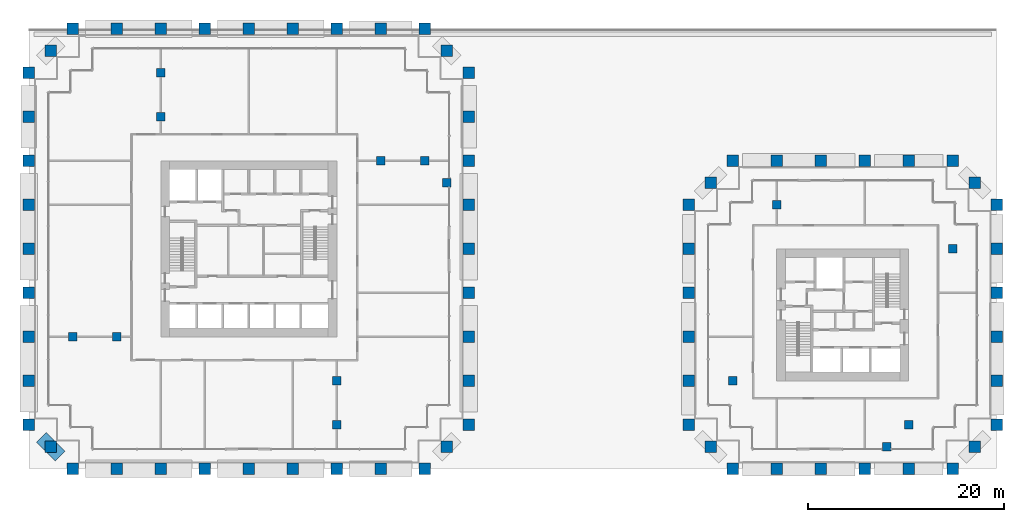
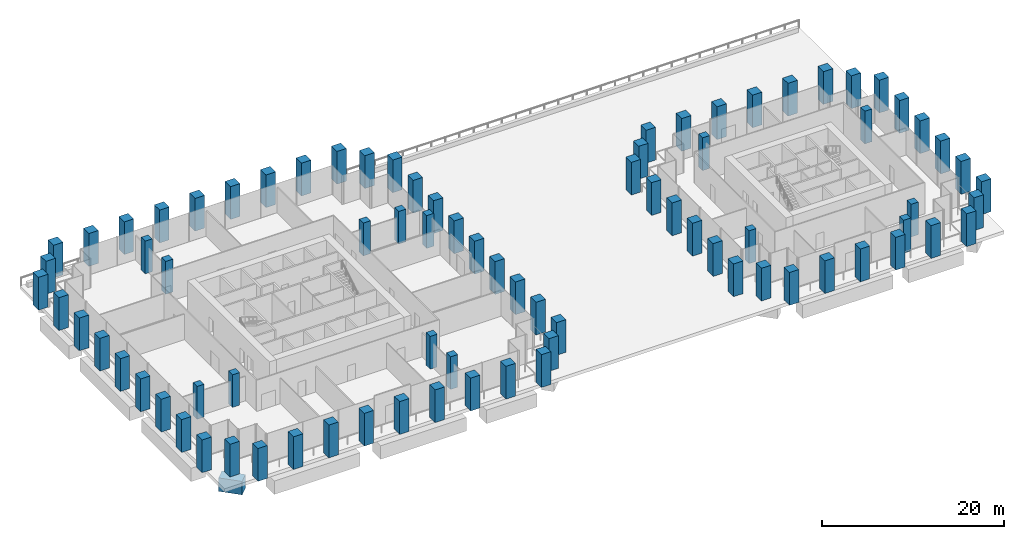
# One storey, part 1 of 32: 82 columns, 1 beam.
"""IFC4 building model written with IfcOpenShell, lengths in metres."""

import ifcopenshell
import ifcopenshell.guid

model = None  # the IFC model being written
_history = None  # IfcOwnerHistory: only IFC2X3 demands one
_inside = {}  # id of a spatial element -> (the spatial element, [elements in it])
_under = {}  # id of a project, library or spatial element -> (it, [spatial elements below it])
_declared = {}  # id of a project -> (the project, [libraries it declares])
_typed = {}  # id of a type object -> (the type object, [elements of that type])
_made_of = {}  # id of a material, layer set ... -> (it, [elements and type objects made of it])


def new_model(schema):
    """Start an empty IFC model of exactly this schema.

    Asked for "IFC4X3", IfcOpenShell would pick the latest addendum, in which some entities
    have other attributes; the version numbers below select the first issue.
    IFC2X3 requires an IfcOwnerHistory on every rooted entity: one is made here for all.
    """
    global model, _history
    if schema == "IFC4X3":
        model = ifcopenshell.file(schema_version=(4, 3, 0, 0))
    else:
        model = ifcopenshell.file(schema=schema)
    _inside.clear()
    _under.clear()
    _declared.clear()
    _typed.clear()
    _made_of.clear()
    _history = None
    if model.schema == "IFC2X3":
        org = make("IfcOrganization", Name="unknown")
        user = make(
            "IfcPersonAndOrganization",
            ThePerson=make("IfcPerson", FamilyName="unknown"),
            TheOrganization=org,
        )
        app = make(
            "IfcApplication",
            ApplicationDeveloper=org,
            Version="unknown",
            ApplicationFullName="unknown",
            ApplicationIdentifier="unknown",
        )
        _history = make(
            "IfcOwnerHistory",
            OwningUser=user,
            OwningApplication=app,
            ChangeAction="ADDED",
            CreationDate=0,
        )
    return model


def make(cls, **values):
    """One entity of the class cls with the attributes given. An attribute that is None is left unset."""
    return model.create_entity(
        cls, **{name: value for name, value in values.items() if value is not None}
    )


def rooted(cls, **values):
    """An entity with a GlobalId (a new one), such as an element, a storey or a relation."""
    return make(cls, GlobalId=ifcopenshell.guid.new(), OwnerHistory=_history, **values)


def si_unit(unit_type, name, prefix=None):
    """IfcSIUnit, for example si_unit("LENGTHUNIT", "METRE", prefix="MILLI")."""
    return make("IfcSIUnit", UnitType=unit_type, Prefix=prefix, Name=name)


def assignment(units):
    """IfcUnitAssignment: the units of a project."""
    return None if units is None else make("IfcUnitAssignment", Units=units)


def point(xyz):
    """IfcCartesianPoint."""
    return None if xyz is None else make("IfcCartesianPoint", Coordinates=xyz)


def direction(xyz):
    """IfcDirection."""
    return None if xyz is None else make("IfcDirection", DirectionRatios=xyz)


def frame(location, z_axis=None, x_axis=None):
    """IfcAxis2Placement3D, a coordinate frame: its origin and axes. An axis left out is left unset."""
    return make(
        "IfcAxis2Placement3D",
        Location=point(location),
        Axis=direction(z_axis),
        RefDirection=direction(x_axis),
    )


def frame_2d(location, x_axis=None):
    """IfcAxis2Placement2D, a coordinate frame in the plane: its origin and x axis."""
    return make(
        "IfcAxis2Placement2D", Location=point(location), RefDirection=direction(x_axis)
    )


def origin():
    """The frame at (0, 0, 0) with its axes left unset."""
    return frame((0.0, 0.0, 0.0))


def origin_2d():
    """The frame at (0, 0) in the plane with its x axis left unset."""
    return frame_2d((0.0, 0.0))


def place(relative_to, where):
    """IfcLocalPlacement: puts the frame where relative to a parent placement (None: the world)."""
    return make(
        "IfcLocalPlacement", PlacementRelTo=relative_to, RelativePlacement=where
    )


def context(
    kind, dimensions, precision=None, world=None, true_north=None, identifier=None
):
    """IfcGeometricRepresentationContext, for example the 3D "Model" context."""
    return make(
        "IfcGeometricRepresentationContext",
        ContextIdentifier=identifier,
        ContextType=kind,
        CoordinateSpaceDimension=dimensions,
        Precision=precision,
        WorldCoordinateSystem=world,
        TrueNorth=true_north,
    )


def subcontext(parent, identifier, kind, view, scale=None):
    """IfcGeometricRepresentationSubContext, for example "Body" below "Model"."""
    return make(
        "IfcGeometricRepresentationSubContext",
        ContextIdentifier=identifier,
        ContextType=kind,
        ParentContext=parent,
        TargetScale=scale,
        TargetView=view,
    )


def project(units=None, contexts=None):
    """IfcProject with its units and contexts."""
    return rooted(
        "IfcProject",
        Name="project",
        RepresentationContexts=contexts,
        UnitsInContext=assignment(units),
    )


def spatial(cls, under=None, at=None, **own):
    """A site, building, storey or space (cls), placed at a placement, below another one or the project."""
    s = rooted(cls, ObjectPlacement=at, **own)
    if under is not None:
        _under.setdefault(under.id(), (under, []))[1].append(s)
    return s


def profile(cls, at=None, kind="AREA", **sizes):
    """A parametric profile (cls). Its sizes go by their IFC names, for example OverallWidth=200.0."""
    return make(cls, ProfileType=kind, Position=at, **sizes)


def rectangle(**sizes):
    """IfcRectangleProfileDef."""
    return profile("IfcRectangleProfileDef", **sizes)


def extrude(swept, where, along, depth):
    """IfcExtrudedAreaSolid: the profile swept, set in the frame where, extruded along a direction by depth."""
    return make(
        "IfcExtrudedAreaSolid",
        SweptArea=swept,
        Position=where,
        ExtrudedDirection=direction(along),
        Depth=depth,
    )


def shape(context_of_items, identifier, shape_type, items):
    """IfcShapeRepresentation: the items that make up one representation, for example the "Body"."""
    return make(
        "IfcShapeRepresentation",
        ContextOfItems=context_of_items,
        RepresentationIdentifier=identifier,
        RepresentationType=shape_type,
        Items=items,
    )


def material(Name=None, Category=None):
    """IfcMaterial."""
    return make("IfcMaterial", Name=Name, Category=Category)


def material_profile(
    of_material, cross_section, Name=None, Category=None, Priority=None
):
    """IfcMaterialProfile: a cross section and its material."""
    return make(
        "IfcMaterialProfile",
        Name=Name,
        Material=of_material,
        Profile=cross_section,
        Priority=Priority,
        Category=Category,
    )


def profile_set(profiles, Name=None, composite=None):
    """IfcMaterialProfileSet."""
    return make(
        "IfcMaterialProfileSet",
        Name=Name,
        MaterialProfiles=profiles,
        CompositeProfile=composite,
    )


def made_of(thing, what):
    """Note that an element or type object is made of a material, layer set ...; save() writes the relation."""
    if what is not None:
        _made_of.setdefault(what.id(), (what, []))[1].append(thing)
    return thing


def type_object(cls, material=None, **own):
    """A type object (cls), such as IfcWallType, which elements share."""
    return made_of(rooted(cls, **own), material)


def element(
    cls,
    number,
    at=None,
    inside=None,
    cuts=None,
    type_object=None,
    material=None,
    context=None,
    identifier="Body",
    shape_type=None,
    held_by="IfcProductDefinitionShape",
    body=None,
    shapes=None,
    **own,
):
    """One element of the class cls, such as IfcWall. Its Tag is "e" and its number.

    at: its placement. inside: the storey or other place that contains it. cuts: it is an
    opening in that element (IfcRelVoidsElement). A single representation is given by context,
    identifier, shape_type and body (its items); several are given by shapes. held_by: the class
    of the entity that holds the representations. save() writes the other relations.
    """
    e = rooted(cls, Tag="e%d" % number, ObjectPlacement=at, **own)
    if body is not None:
        shapes = [shape(context, identifier, shape_type, body)]
    if shapes is not None:
        e.Representation = make(held_by, Representations=shapes)
    if inside is not None:
        _inside.setdefault(inside.id(), (inside, []))[1].append(e)
    if cuts is not None:
        rooted(
            "IfcRelVoidsElement", RelatingBuildingElement=cuts, RelatedOpeningElement=e
        )
    if type_object is not None:
        _typed.setdefault(type_object.id(), (type_object, []))[1].append(e)
    return made_of(e, material)


def aggregate(whole, parts):
    """IfcRelAggregates: a whole, such as a stair, and the parts it consists of."""
    return rooted("IfcRelAggregates", RelatingObject=whole, RelatedObjects=parts)


def save(model, path):
    """Write the relations noted so far, then the file.

    IfcRelAggregates (storeys below a building ...), IfcRelContainedInSpatialStructure (elements
    in a storey), IfcRelDefinesByType, IfcRelAssociatesMaterial and IfcRelDeclares: one each for
    every whole, place, type object, material and project.
    """
    for whole, parts in _under.values():
        aggregate(whole, parts)
    for where, things in _inside.values():
        rooted(
            "IfcRelContainedInSpatialStructure",
            RelatedElements=things,
            RelatingStructure=where,
        )
    for kind, things in _typed.values():
        rooted("IfcRelDefinesByType", RelatedObjects=things, RelatingType=kind)
    for what, things in _made_of.values():
        rooted("IfcRelAssociatesMaterial", RelatedObjects=things, RelatingMaterial=what)
    for by, libraries in _declared.values():
        rooted("IfcRelDeclares", RelatingContext=by, RelatedDefinitions=libraries)
    model.write(path)


model = new_model("IFC4")

# Units and contexts
model_context = context("Model", 3, precision=1e-05, world=origin(), true_north=direction((0.0, 1.0)))
body_context = subcontext(model_context, "Body", "Model", "MODEL_VIEW")
ifc_project = project(units=[si_unit("LENGTHUNIT", "METRE"), si_unit("AREAUNIT", "SQUARE_METRE"), si_unit("VOLUMEUNIT", "CUBIC_METRE"), si_unit("PLANEANGLEUNIT", "RADIAN"), si_unit("MASSUNIT", "GRAM", prefix="KILO")], contexts=[model_context])

# Site, building, storey
site_placement = place(None, origin())
site = spatial("IfcSite", under=ifc_project, at=site_placement, CompositionType="ELEMENT")
building_placement = place(site_placement, origin())
building = spatial("IfcBuilding", under=site, at=building_placement, Name="Altepetl Exchange Towers", CompositionType="ELEMENT")
storey_placement = place(building_placement, frame((0.0, 0.0, 21.0)))
storey = spatial("IfcBuildingStorey", under=building, at=storey_placement, Name="L04", CompositionType="ELEMENT", Elevation=21.0)

# Columns
ifc_material_1 = material(Name="Concrete C70/85", Category="concrete")
ifc_material_profile_1 = material_profile(ifc_material_1, rectangle(XDim=0.89990234375, YDim=0.89990234375, at=origin_2d()), Name="900 x 900")
ifc_profile_set_1 = profile_set([ifc_material_profile_1], Name="Concrete C70/85")
column_type_1 = type_object("IfcColumnType", Name="Interior column 900", PredefinedType="COLUMN", material=ifc_profile_set_1)
for number, where, name in (
    (1, (31.5, 40.5, 0.0), "col:A:L04:040"),
    (2, (36.0, 40.5, 0.0), "col:A:L04:041"),
    (3, (40.5, 63.0, 0.0), "col:A:L04:042"),
    (4, (40.5, 67.5, 0.0), "col:A:L04:043"),
    (5, (58.5, 31.5, 0.0), "col:A:L04:044"),
    (6, (58.5, 36.0, 0.0), "col:A:L04:045"),
    (7, (63.0, 58.5, 0.0), "col:A:L04:046"),
    (8, (67.5, 58.5, 0.0), "col:A:L04:047"),
    (9, (69.75, 56.25, 0.0), "col:A:L04:048"),
    (10, (99.0, 36.0, 0.0), "col:B:L04:028"),
    (11, (103.5, 54.0, 0.0), "col:B:L04:029"),
    (12, (114.75, 29.25, 0.0), "col:B:L04:030"),
    (13, (117.0, 31.5, 0.0), "col:B:L04:031"),
    (14, (121.5, 49.5, 0.0), "col:B:L04:032"),
):
    element("IfcColumn", number, at=place(storey_placement, frame(where)), inside=storey, type_object=column_type_1, Name=name, PredefinedType="COLUMN", context=body_context, shape_type="SweptSolid", body=[
        extrude(rectangle(XDim=0.89990234375, YDim=0.89990234375, at=origin_2d()), origin(), (0.0, 0.0, 1.0), 4.39990234375),
    ])
ifc_material_2 = material(Name="Concrete C70/85 precast with cantera amarilla facing", Category="concrete")
ifc_material_profile_2 = material_profile(ifc_material_2, rectangle(XDim=1.199951171875, YDim=1.199951171875, at=origin_2d()), Name="1200 x 1200")
ifc_profile_set_2 = profile_set([ifc_material_profile_2], Name="Concrete C70/85 precast with cantera amarilla facing")
column_type_2 = type_object("IfcColumnType", Name="Perimeter column 1200 cantera amarilla", PredefinedType="COLUMN", material=ifc_profile_set_2)
for number, where, name in (
    (15, (58.5, 27.0, 0.0), "col:A:L04:006"),
    (16, (63.0, 27.0, 0.0), "col:A:L04:007"),
    (17, (67.5, 27.0, 0.0), "col:A:L04:008"),
    (18, (69.75, 29.25, 0.0), "col:A:L04:009"),
    (19, (72.0, 31.5, 0.0), "col:A:L04:010"),
    (20, (72.0, 36.0, 0.0), "col:A:L04:011"),
    (21, (72.0, 40.5, 0.0), "col:A:L04:012"),
    (22, (72.0, 45.0, 0.0), "col:A:L04:013"),
    (23, (72.0, 49.5, 0.0), "col:A:L04:014"),
    (24, (72.0, 54.0, 0.0), "col:A:L04:015"),
    (25, (126.0, 49.5, 0.0), "col:B:L04:011"),
    (26, (126.0, 54.0, 0.0), "col:B:L04:012"),
    (27, (123.75, 56.25, 0.0), "col:B:L04:013"),
    (28, (121.5, 58.5, 0.0), "col:B:L04:014"),
    (29, (117.0, 58.5, 0.0), "col:B:L04:015"),
    (30, (112.5, 58.5, 0.0), "col:B:L04:016"),
    (31, (108.0, 58.5, 0.0), "col:B:L04:017"),
):
    element("IfcColumn", number, at=place(storey_placement, frame(where)), inside=storey, type_object=column_type_2, Name=name, PredefinedType="COLUMN", context=body_context, shape_type="SweptSolid", body=[
        extrude(rectangle(XDim=1.199951171875, YDim=1.199951171875, at=origin_2d()), origin(), (0.0, 0.0, 1.0), 4.39990234375),
    ])
ifc_material_3 = material(Name="Concrete C70/85 precast with cantera blanca facing", Category="concrete")
ifc_material_profile_3 = material_profile(ifc_material_3, rectangle(XDim=1.199951171875, YDim=1.199951171875, at=origin_2d()), Name="1200 x 1200")
ifc_profile_set_3 = profile_set([ifc_material_profile_3], Name="Concrete C70/85 precast with cantera blanca facing")
column_type_3 = type_object("IfcColumnType", Name="Perimeter column 1200 cantera blanca", PredefinedType="COLUMN", material=ifc_profile_set_3)
for number, where, name in (
    (32, (31.5, 27.0, 0.0), "col:A:L04:000"),
    (33, (36.0, 27.0, 0.0), "col:A:L04:001"),
    (34, (40.5, 27.0, 0.0), "col:A:L04:002"),
    (35, (45.0, 27.0, 0.0), "col:A:L04:003"),
    (36, (49.5, 27.0, 0.0), "col:A:L04:004"),
    (37, (54.0, 27.0, 0.0), "col:A:L04:005"),
    (38, (27.0, 36.0, 0.0), "col:A:L04:037"),
    (39, (27.0, 31.5, 0.0), "col:A:L04:038"),
    (40, (29.25, 29.25, 0.0), "col:A:L04:039"),
    (41, (117.0, 27.0, 0.0), "col:B:L04:004"),
    (42, (121.5, 27.0, 0.0), "col:B:L04:005"),
    (43, (123.75, 29.25, 0.0), "col:B:L04:006"),
    (44, (126.0, 31.5, 0.0), "col:B:L04:007"),
    (45, (126.0, 36.0, 0.0), "col:B:L04:008"),
    (46, (126.0, 40.5, 0.0), "col:B:L04:009"),
    (47, (126.0, 45.0, 0.0), "col:B:L04:010"),
):
    element("IfcColumn", number, at=place(storey_placement, frame(where)), inside=storey, type_object=column_type_3, Name=name, PredefinedType="COLUMN", context=body_context, shape_type="SweptSolid", body=[
        extrude(rectangle(XDim=1.199951171875, YDim=1.199951171875, at=origin_2d()), origin(), (0.0, 0.0, 1.0), 4.39990234375),
    ])
ifc_material_4 = material(Name="Concrete C70/85 precast with cantera rosa facing", Category="concrete")
ifc_material_profile_4 = material_profile(ifc_material_4, rectangle(XDim=1.199951171875, YDim=1.199951171875, at=origin_2d()), Name="1200 x 1200")
ifc_profile_set_4 = profile_set([ifc_material_profile_4], Name="Concrete C70/85 precast with cantera rosa facing")
column_type_4 = type_object("IfcColumnType", Name="Perimeter column 1200 cantera rosa", PredefinedType="COLUMN", material=ifc_profile_set_4)
for number, where, name in (
    (48, (72.0, 58.5, 0.0), "col:A:L04:016"),
    (49, (72.0, 63.0, 0.0), "col:A:L04:017"),
    (50, (72.0, 67.5, 0.0), "col:A:L04:018"),
    (51, (69.75, 69.75, 0.0), "col:A:L04:019"),
    (52, (67.5, 72.0, 0.0), "col:A:L04:020"),
    (53, (63.0, 72.0, 0.0), "col:A:L04:021"),
    (54, (58.5, 72.0, 0.0), "col:A:L04:022"),
    (55, (54.0, 72.0, 0.0), "col:A:L04:023"),
    (56, (49.5, 72.0, 0.0), "col:A:L04:024"),
    (57, (45.0, 72.0, 0.0), "col:A:L04:025"),
    (58, (103.5, 58.5, 0.0), "col:B:L04:018"),
    (59, (99.0, 58.5, 0.0), "col:B:L04:019"),
    (60, (96.75, 56.25, 0.0), "col:B:L04:020"),
    (61, (94.5, 54.0, 0.0), "col:B:L04:021"),
    (62, (94.5, 49.5, 0.0), "col:B:L04:022"),
    (63, (94.5, 45.0, 0.0), "col:B:L04:023"),
    (64, (94.5, 40.5, 0.0), "col:B:L04:024"),
    (65, (94.5, 36.0, 0.0), "col:B:L04:025"),
):
    element("IfcColumn", number, at=place(storey_placement, frame(where)), inside=storey, type_object=column_type_4, Name=name, PredefinedType="COLUMN", context=body_context, shape_type="SweptSolid", body=[
        extrude(rectangle(XDim=1.199951171875, YDim=1.199951171875, at=origin_2d()), origin(), (0.0, 0.0, 1.0), 4.39990234375),
    ])
ifc_material_5 = material(Name="Concrete C70/85 precast with tezontle facing", Category="concrete")
ifc_material_profile_5 = material_profile(ifc_material_5, rectangle(XDim=1.199951171875, YDim=1.199951171875, at=origin_2d()), Name="1200 x 1200")
ifc_profile_set_5 = profile_set([ifc_material_profile_5], Name="Concrete C70/85 precast with tezontle facing")
column_type_5 = type_object("IfcColumnType", Name="Perimeter column 1200 tezontle", PredefinedType="COLUMN", material=ifc_profile_set_5)
for number, where, name in (
    (66, (40.5, 72.0, 0.0), "col:A:L04:026"),
    (67, (36.0, 72.0, 0.0), "col:A:L04:027"),
    (68, (31.5, 72.0, 0.0), "col:A:L04:028"),
    (69, (29.25, 69.75, 0.0), "col:A:L04:029"),
    (70, (27.0, 67.5, 0.0), "col:A:L04:030"),
    (71, (27.0, 63.0, 0.0), "col:A:L04:031"),
    (72, (27.0, 58.5, 0.0), "col:A:L04:032"),
    (73, (27.0, 54.0, 0.0), "col:A:L04:033"),
    (74, (27.0, 49.5, 0.0), "col:A:L04:034"),
    (75, (27.0, 45.0, 0.0), "col:A:L04:035"),
    (76, (27.0, 40.5, 0.0), "col:A:L04:036"),
    (77, (99.0, 27.0, 0.0), "col:B:L04:000"),
    (78, (103.5, 27.0, 0.0), "col:B:L04:001"),
    (79, (108.0, 27.0, 0.0), "col:B:L04:002"),
    (80, (112.5, 27.0, 0.0), "col:B:L04:003"),
    (81, (94.5, 31.5, 0.0), "col:B:L04:026"),
    (82, (96.75, 29.25, 0.0), "col:B:L04:027"),
):
    element("IfcColumn", number, at=place(storey_placement, frame(where)), inside=storey, type_object=column_type_5, Name=name, PredefinedType="COLUMN", context=body_context, shape_type="SweptSolid", body=[
        extrude(rectangle(XDim=1.199951171875, YDim=1.199951171875, at=origin_2d()), origin(), (0.0, 0.0, 1.0), 4.39990234375),
    ])

# Beam
ifc_material_6 = material(Name="Concrete C60/75", Category="concrete")
ifc_material_profile_6 = material_profile(ifc_material_6, rectangle(XDim=1.39990234375, YDim=1.800048828125, at=origin_2d()), Name="1400 x 1800")
ifc_profile_set_6 = profile_set([ifc_material_profile_6], Name="Concrete C60/75")
beam_type = type_object("IfcBeamType", Name="Transfer girder 1400x1800", PredefinedType="BEAM", material=ifc_profile_set_6)
beam_placement = place(storey_placement, frame((30.199951171875, 28.300048828125, -1.35009765625), z_axis=(-0.707106781187, 0.707106781187, 0.0), x_axis=(-0.707106781187, -0.707106781187, 0.0)))
element("IfcBeam", 83, at=beam_placement, inside=storey, type_object=beam_type, Name="bm:A:L04:tg12", PredefinedType="BEAM", context=body_context, shape_type="SweptSolid", body=[
    extrude(rectangle(XDim=1.39990234375, YDim=1.800048828125, at=origin_2d()), origin(), (0.0, 0.0, 1.0), 2.686767578125),
])

save(model, "model.ifc")
